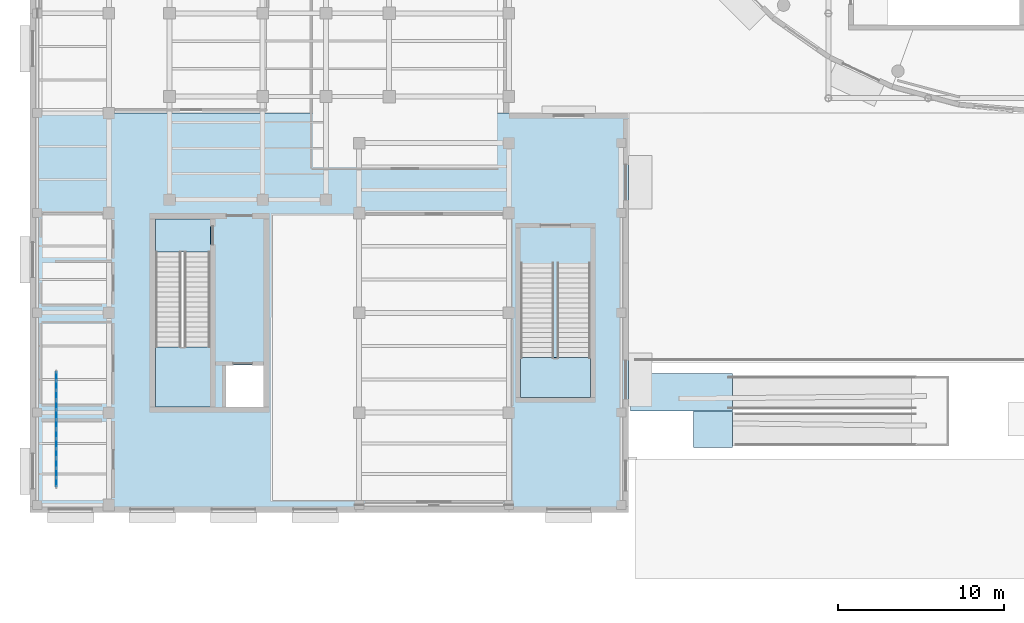
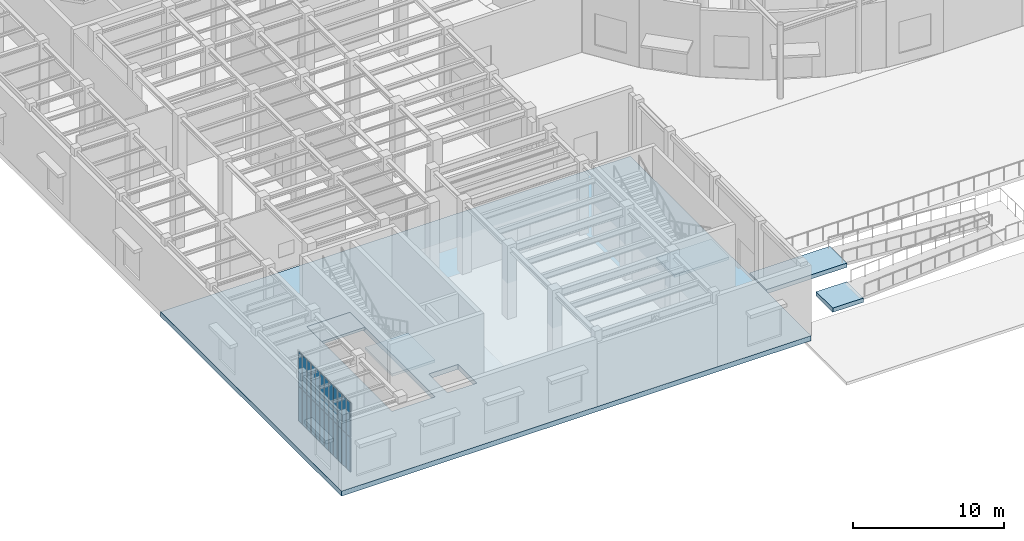
# One storey, part 69 of 118: 24 plates, 6 slabs, 6 elements without a shape of their own.
"""IFC4 building model written with IfcOpenShell, lengths in metres."""

from ifc_helpers import new_model, si_unit, direction, frame, origin, origin_2d, place, context, subcontext, project, spatial, polyline, rectangle, outline, extrude, material, layer, layer_set, type_object, element, aggregate, save


model = new_model("IFC4")

# Units and contexts
model_context = context("Model", 3, precision=1e-05, world=origin(), true_north=direction((0.0, 1.0)))
body_context = subcontext(model_context, "Body", "Model", "MODEL_VIEW")
ifc_project = project(units=[si_unit("LENGTHUNIT", "METRE"), si_unit("AREAUNIT", "SQUARE_METRE"), si_unit("VOLUMEUNIT", "CUBIC_METRE"), si_unit("PLANEANGLEUNIT", "RADIAN"), si_unit("MASSUNIT", "GRAM", prefix="KILO")], contexts=[model_context])

# Site, building, storey
site_placement = place(None, origin())
site = spatial("IfcSite", under=ifc_project, at=site_placement, CompositionType="ELEMENT")
building_placement = place(site_placement, origin())
building = spatial("IfcBuilding", under=site, at=building_placement, Name="Kolvaren Corner Interchange", CompositionType="ELEMENT")
storey_placement = place(building_placement, origin())
storey = spatial("IfcBuildingStorey", under=building, at=storey_placement, Name="L01", CompositionType="ELEMENT", Elevation=0.0)

# Curtain wall, plates
ifc_material_1 = material(Name="Unitised Aluminium and Solar-Control Glass Curtain Wall", Category="aluminium")
curtain_wall_type = type_object("IfcCurtainWallType", Name="CW-V5-LOGGIA", PredefinedType="NOTDEFINED", material=ifc_material_1)
curtain_wall_1_placement = place(storey_placement, origin())
curtain_wall_1 = element("IfcCurtainWall", 1, at=curtain_wall_1_placement, inside=storey, type_object=curtain_wall_type, Name="Corner Loggia L01 Curtain Wall Bay 01", PredefinedType="NOTDEFINED")
ifc_material_2 = material(Name="Insulated Terracotta Spandrel Panel", Category="masonry")
ifc_layer_1 = layer(ifc_material_2, 0.052001953125)
ifc_layer_set_1 = layer_set([ifc_layer_1], Name="Insulated Terracotta Spandrel Panel")
plate_type = type_object("IfcPlateType", Name="PLT-CW-SP48", PredefinedType="SHEET", material=ifc_layer_set_1)
plate_1_placement = place(storey_placement, frame((1.60009765625, 1.806640625, 0.05517578125), z_axis=(0.0, 0.0, 1.0), x_axis=(0.0, 1.0, 0.0)))
plate_1 = element("IfcPlate", 2, at=plate_1_placement, type_object=plate_type, Name="CW-150 panel 1.1", PredefinedType="CURTAIN_PANEL", context=body_context, shape_type="SweptSolid", body=[
    extrude(rectangle(XDim=0.493408203125, YDim=0.052001953125, at=origin_2d()), origin(), (0.0, 0.0, 1.0), 2.777587890625),
])
plate_2_placement = place(storey_placement, frame((1.60009765625, 1.806640625, 2.8876953125), z_axis=(0.0, 0.0, 1.0), x_axis=(0.0, 1.0, 0.0)))
plate_2 = element("IfcPlate", 3, at=plate_2_placement, type_object=plate_type, Name="CW-150 panel 1.2", PredefinedType="CURTAIN_PANEL", context=body_context, shape_type="SweptSolid", body=[
    extrude(rectangle(XDim=0.493408203125, YDim=0.052001953125, at=origin_2d()), origin(), (0.0, 0.0, 1.0), 2.777587890625),
])
plate_3_placement = place(storey_placement, frame((1.60009765625, 2.375, 0.05517578125), z_axis=(0.0, 0.0, 1.0), x_axis=(0.0, 1.0, 0.0)))
plate_3 = element("IfcPlate", 4, at=plate_3_placement, type_object=plate_type, Name="CW-150 panel 2.1", PredefinedType="CURTAIN_PANEL", context=body_context, shape_type="SweptSolid", body=[
    extrude(rectangle(XDim=0.5234375, YDim=0.052001953125, at=origin_2d()), origin(), (0.0, 0.0, 1.0), 2.777587890625),
])
plate_4_placement = place(storey_placement, frame((1.60009765625, 2.375, 2.8876953125), z_axis=(0.0, 0.0, 1.0), x_axis=(0.0, 1.0, 0.0)))
plate_4 = element("IfcPlate", 5, at=plate_4_placement, type_object=plate_type, Name="CW-150 panel 2.2", PredefinedType="CURTAIN_PANEL", context=body_context, shape_type="SweptSolid", body=[
    extrude(rectangle(XDim=0.5234375, YDim=0.052001953125, at=origin_2d()), origin(), (0.0, 0.0, 1.0), 2.777587890625),
])
plate_5_placement = place(storey_placement, frame((1.60009765625, 2.943359375, 0.05517578125), z_axis=(0.0, 0.0, 1.0), x_axis=(0.0, 1.0, 0.0)))
plate_5 = element("IfcPlate", 6, at=plate_5_placement, type_object=plate_type, Name="CW-150 panel 3.1", PredefinedType="CURTAIN_PANEL", context=body_context, shape_type="SweptSolid", body=[
    extrude(rectangle(XDim=0.493408203125, YDim=0.052001953125, at=origin_2d()), origin(), (0.0, 0.0, 1.0), 2.777587890625),
])
plate_6_placement = place(storey_placement, frame((1.60009765625, 2.943359375, 2.8876953125), z_axis=(0.0, 0.0, 1.0), x_axis=(0.0, 1.0, 0.0)))
plate_6 = element("IfcPlate", 7, at=plate_6_placement, type_object=plate_type, Name="CW-150 panel 3.2", PredefinedType="CURTAIN_PANEL", context=body_context, shape_type="SweptSolid", body=[
    extrude(rectangle(XDim=0.493408203125, YDim=0.052001953125, at=origin_2d()), origin(), (0.0, 0.0, 1.0), 2.777587890625),
])
aggregate(curtain_wall_1, [plate_1, plate_2, plate_3, plate_4, plate_5, plate_6])

curtain_wall_2_placement = place(storey_placement, origin())
curtain_wall_2 = element("IfcCurtainWall", 8, at=curtain_wall_2_placement, inside=storey, type_object=curtain_wall_type, Name="Corner Loggia L01 Curtain Wall Bay 02", PredefinedType="NOTDEFINED")
plate_7_placement = place(storey_placement, frame((1.60009765625, 3.556640625, 0.05517578125), z_axis=(0.0, 0.0, 1.0), x_axis=(0.0, 1.0, 0.0)))
plate_7 = element("IfcPlate", 9, at=plate_7_placement, type_object=plate_type, Name="CW-151 panel 1.1", PredefinedType="CURTAIN_PANEL", context=body_context, shape_type="SweptSolid", body=[
    extrude(rectangle(XDim=0.493408203125, YDim=0.052001953125, at=origin_2d()), origin(), (0.0, 0.0, 1.0), 2.777587890625),
])
plate_8_placement = place(storey_placement, frame((1.60009765625, 3.556640625, 2.8876953125), z_axis=(0.0, 0.0, 1.0), x_axis=(0.0, 1.0, 0.0)))
plate_8 = element("IfcPlate", 10, at=plate_8_placement, type_object=plate_type, Name="CW-151 panel 1.2", PredefinedType="CURTAIN_PANEL", context=body_context, shape_type="SweptSolid", body=[
    extrude(rectangle(XDim=0.493408203125, YDim=0.052001953125, at=origin_2d()), origin(), (0.0, 0.0, 1.0), 2.777587890625),
])
plate_9_placement = place(storey_placement, frame((1.60009765625, 4.125, 0.05517578125), z_axis=(0.0, 0.0, 1.0), x_axis=(0.0, 1.0, 0.0)))
plate_9 = element("IfcPlate", 11, at=plate_9_placement, type_object=plate_type, Name="CW-151 panel 2.1", PredefinedType="CURTAIN_PANEL", context=body_context, shape_type="SweptSolid", body=[
    extrude(rectangle(XDim=0.5234375, YDim=0.052001953125, at=origin_2d()), origin(), (0.0, 0.0, 1.0), 2.777587890625),
])
plate_10_placement = place(storey_placement, frame((1.60009765625, 4.125, 2.8876953125), z_axis=(0.0, 0.0, 1.0), x_axis=(0.0, 1.0, 0.0)))
plate_10 = element("IfcPlate", 12, at=plate_10_placement, type_object=plate_type, Name="CW-151 panel 2.2", PredefinedType="CURTAIN_PANEL", context=body_context, shape_type="SweptSolid", body=[
    extrude(rectangle(XDim=0.5234375, YDim=0.052001953125, at=origin_2d()), origin(), (0.0, 0.0, 1.0), 2.777587890625),
])
plate_11_placement = place(storey_placement, frame((1.60009765625, 4.693359375, 0.05517578125), z_axis=(0.0, 0.0, 1.0), x_axis=(0.0, 1.0, 0.0)))
plate_11 = element("IfcPlate", 13, at=plate_11_placement, type_object=plate_type, Name="CW-151 panel 3.1", PredefinedType="CURTAIN_PANEL", context=body_context, shape_type="SweptSolid", body=[
    extrude(rectangle(XDim=0.493408203125, YDim=0.052001953125, at=origin_2d()), origin(), (0.0, 0.0, 1.0), 2.777587890625),
])
plate_12_placement = place(storey_placement, frame((1.60009765625, 4.693359375, 2.8876953125), z_axis=(0.0, 0.0, 1.0), x_axis=(0.0, 1.0, 0.0)))
plate_12 = element("IfcPlate", 14, at=plate_12_placement, type_object=plate_type, Name="CW-151 panel 3.2", PredefinedType="CURTAIN_PANEL", context=body_context, shape_type="SweptSolid", body=[
    extrude(rectangle(XDim=0.493408203125, YDim=0.052001953125, at=origin_2d()), origin(), (0.0, 0.0, 1.0), 2.777587890625),
])
aggregate(curtain_wall_2, [plate_7, plate_8, plate_9, plate_10, plate_11, plate_12])

curtain_wall_3_placement = place(storey_placement, origin())
curtain_wall_3 = element("IfcCurtainWall", 15, at=curtain_wall_3_placement, inside=storey, type_object=curtain_wall_type, Name="Corner Loggia L01 Curtain Wall Bay 03", PredefinedType="NOTDEFINED")
plate_13_placement = place(storey_placement, frame((1.60009765625, 5.306640625, 0.05517578125), z_axis=(0.0, 0.0, 1.0), x_axis=(0.0, 1.0, 0.0)))
plate_13 = element("IfcPlate", 16, at=plate_13_placement, type_object=plate_type, Name="CW-152 panel 1.1", PredefinedType="CURTAIN_PANEL", context=body_context, shape_type="SweptSolid", body=[
    extrude(rectangle(XDim=0.493408203125, YDim=0.052001953125, at=origin_2d()), origin(), (0.0, 0.0, 1.0), 2.777587890625),
])
plate_14_placement = place(storey_placement, frame((1.60009765625, 5.306640625, 2.8876953125), z_axis=(0.0, 0.0, 1.0), x_axis=(0.0, 1.0, 0.0)))
plate_14 = element("IfcPlate", 17, at=plate_14_placement, type_object=plate_type, Name="CW-152 panel 1.2", PredefinedType="CURTAIN_PANEL", context=body_context, shape_type="SweptSolid", body=[
    extrude(rectangle(XDim=0.493408203125, YDim=0.052001953125, at=origin_2d()), origin(), (0.0, 0.0, 1.0), 2.777587890625),
])
plate_15_placement = place(storey_placement, frame((1.60009765625, 5.875, 0.05517578125), z_axis=(0.0, 0.0, 1.0), x_axis=(0.0, 1.0, 0.0)))
plate_15 = element("IfcPlate", 18, at=plate_15_placement, type_object=plate_type, Name="CW-152 panel 2.1", PredefinedType="CURTAIN_PANEL", context=body_context, shape_type="SweptSolid", body=[
    extrude(rectangle(XDim=0.5234375, YDim=0.052001953125, at=origin_2d()), origin(), (0.0, 0.0, 1.0), 2.777587890625),
])
plate_16_placement = place(storey_placement, frame((1.60009765625, 5.875, 2.8876953125), z_axis=(0.0, 0.0, 1.0), x_axis=(0.0, 1.0, 0.0)))
plate_16 = element("IfcPlate", 19, at=plate_16_placement, type_object=plate_type, Name="CW-152 panel 2.2", PredefinedType="CURTAIN_PANEL", context=body_context, shape_type="SweptSolid", body=[
    extrude(rectangle(XDim=0.5234375, YDim=0.052001953125, at=origin_2d()), origin(), (0.0, 0.0, 1.0), 2.777587890625),
])
plate_17_placement = place(storey_placement, frame((1.60009765625, 6.443359375, 0.05517578125), z_axis=(0.0, 0.0, 1.0), x_axis=(0.0, 1.0, 0.0)))
plate_17 = element("IfcPlate", 20, at=plate_17_placement, type_object=plate_type, Name="CW-152 panel 3.1", PredefinedType="CURTAIN_PANEL", context=body_context, shape_type="SweptSolid", body=[
    extrude(rectangle(XDim=0.493408203125, YDim=0.052001953125, at=origin_2d()), origin(), (0.0, 0.0, 1.0), 2.777587890625),
])
plate_18_placement = place(storey_placement, frame((1.60009765625, 6.443359375, 2.8876953125), z_axis=(0.0, 0.0, 1.0), x_axis=(0.0, 1.0, 0.0)))
plate_18 = element("IfcPlate", 21, at=plate_18_placement, type_object=plate_type, Name="CW-152 panel 3.2", PredefinedType="CURTAIN_PANEL", context=body_context, shape_type="SweptSolid", body=[
    extrude(rectangle(XDim=0.493408203125, YDim=0.052001953125, at=origin_2d()), origin(), (0.0, 0.0, 1.0), 2.777587890625),
])
aggregate(curtain_wall_3, [plate_13, plate_14, plate_15, plate_16, plate_17, plate_18])

curtain_wall_4_placement = place(storey_placement, origin())
curtain_wall_4 = element("IfcCurtainWall", 22, at=curtain_wall_4_placement, inside=storey, type_object=curtain_wall_type, Name="Corner Loggia L01 Curtain Wall Bay 04", PredefinedType="NOTDEFINED")
plate_19_placement = place(storey_placement, frame((1.60009765625, 7.056640625, 0.05517578125), z_axis=(0.0, 0.0, 1.0), x_axis=(0.0, 1.0, 0.0)))
plate_19 = element("IfcPlate", 23, at=plate_19_placement, type_object=plate_type, Name="CW-153 panel 1.1", PredefinedType="CURTAIN_PANEL", context=body_context, shape_type="SweptSolid", body=[
    extrude(rectangle(XDim=0.493408203125, YDim=0.052001953125, at=origin_2d()), origin(), (0.0, 0.0, 1.0), 2.777587890625),
])
plate_20_placement = place(storey_placement, frame((1.60009765625, 7.056640625, 2.8876953125), z_axis=(0.0, 0.0, 1.0), x_axis=(0.0, 1.0, 0.0)))
plate_20 = element("IfcPlate", 24, at=plate_20_placement, type_object=plate_type, Name="CW-153 panel 1.2", PredefinedType="CURTAIN_PANEL", context=body_context, shape_type="SweptSolid", body=[
    extrude(rectangle(XDim=0.493408203125, YDim=0.052001953125, at=origin_2d()), origin(), (0.0, 0.0, 1.0), 2.777587890625),
])
plate_21_placement = place(storey_placement, frame((1.60009765625, 7.625, 0.05517578125), z_axis=(0.0, 0.0, 1.0), x_axis=(0.0, 1.0, 0.0)))
plate_21 = element("IfcPlate", 25, at=plate_21_placement, type_object=plate_type, Name="CW-153 panel 2.1", PredefinedType="CURTAIN_PANEL", context=body_context, shape_type="SweptSolid", body=[
    extrude(rectangle(XDim=0.5234375, YDim=0.052001953125, at=origin_2d()), origin(), (0.0, 0.0, 1.0), 2.777587890625),
])
plate_22_placement = place(storey_placement, frame((1.60009765625, 7.625, 2.8876953125), z_axis=(0.0, 0.0, 1.0), x_axis=(0.0, 1.0, 0.0)))
plate_22 = element("IfcPlate", 26, at=plate_22_placement, type_object=plate_type, Name="CW-153 panel 2.2", PredefinedType="CURTAIN_PANEL", context=body_context, shape_type="SweptSolid", body=[
    extrude(rectangle(XDim=0.5234375, YDim=0.052001953125, at=origin_2d()), origin(), (0.0, 0.0, 1.0), 2.777587890625),
])
plate_23_placement = place(storey_placement, frame((1.60009765625, 8.193359375, 0.05517578125), z_axis=(0.0, 0.0, 1.0), x_axis=(0.0, 1.0, 0.0)))
plate_23 = element("IfcPlate", 27, at=plate_23_placement, type_object=plate_type, Name="CW-153 panel 3.1", PredefinedType="CURTAIN_PANEL", context=body_context, shape_type="SweptSolid", body=[
    extrude(rectangle(XDim=0.493408203125, YDim=0.052001953125, at=origin_2d()), origin(), (0.0, 0.0, 1.0), 2.777587890625),
])
plate_24_placement = place(storey_placement, frame((1.60009765625, 8.193359375, 2.8876953125), z_axis=(0.0, 0.0, 1.0), x_axis=(0.0, 1.0, 0.0)))
plate_24 = element("IfcPlate", 28, at=plate_24_placement, type_object=plate_type, Name="CW-153 panel 3.2", PredefinedType="CURTAIN_PANEL", context=body_context, shape_type="SweptSolid", body=[
    extrude(rectangle(XDim=0.493408203125, YDim=0.052001953125, at=origin_2d()), origin(), (0.0, 0.0, 1.0), 2.777587890625),
])
aggregate(curtain_wall_4, [plate_19, plate_20, plate_21, plate_22, plate_23, plate_24])

# Slabs
ifc_material_3 = material(Name="Concrete C35/45", Category="concrete")
ifc_layer_2 = layer(ifc_material_3, 0.340087890625)
ifc_layer_set_2 = layer_set([ifc_layer_2], Name="Concrete C35/45")
slab_type_1 = type_object("IfcSlabType", Name="SL-RAMP-LAND", PredefinedType="LANDING", material=ifc_layer_set_2)
slab_1_placement = place(storey_placement, frame((0.0, 0.0, -0.340087890625)))
element("IfcSlab", 29, at=slab_1_placement, inside=storey, type_object=slab_type_1, Name="South Forecourt Accessible Plinth Ramp Top Plinth Spur Slab", PredefinedType="LANDING", context=body_context, shape_type="SweptSolid", body=[
    extrude(outline(polyline([(36.10009765625, 6.10009765625), (42.25, 6.10009765625), (42.25, 8.35009765625), (36.10009765625, 8.35009765625), (36.10009765625, 6.10009765625)])), origin(), (0.0, 0.0, 1.0), 0.340087890625),
])
slab_2_placement = place(storey_placement, frame((0.0, 0.0, -1.840087890625)))
element("IfcSlab", 30, at=slab_2_placement, inside=storey, type_object=slab_type_1, Name="South Forecourt Accessible Plinth Ramp Bottom Approach Slab", PredefinedType="LANDING", context=body_context, shape_type="SweptSolid", body=[
    extrude(outline(polyline([(39.89990234375, 3.89990234375), (42.25, 3.89990234375), (42.25, 6.10009765625), (39.89990234375, 6.10009765625), (39.89990234375, 3.89990234375)])), origin(), (0.0, 0.0, 1.0), 0.340087890625),
])
ifc_material_4 = material(Name="Concrete C35/45", Category="concrete")
ifc_layer_3 = layer(ifc_material_4, 0.199951171875)
ifc_layer_set_3 = layer_set([ifc_layer_3], Name="Concrete C35/45")
slab_type_2 = type_object("IfcSlabType", Name="SL-STAIR-LAND200", PredefinedType="LANDING", material=ifc_layer_set_3)
slab_3_placement = place(storey_placement, frame((0.0, 0.0, -0.199951171875)))
element("IfcSlab", 31, at=slab_3_placement, inside=storey, type_object=slab_type_2, Name="Core C1 Southwest Firefighting Stair L01 Floor Arrival Landing Slab", PredefinedType="LANDING", context=body_context, shape_type="SweptSolid", body=[
    extrude(outline(polyline([(7.550048828125, 17.64990234375), (7.550048828125, 15.64990234375), (10.85009765625, 15.64990234375), (10.85009765625, 17.64990234375), (7.550048828125, 17.64990234375)])), origin(), (0.0, 0.0, 1.0), 0.199951171875),
])

# Stair, slab
ifc_material_5 = material(Name="Concrete C35/45", Category="concrete")
stair_type_1 = type_object("IfcStairType", Name="ST-FF-1550", PredefinedType="HALF_TURN_STAIR", material=ifc_material_5)
stair_1_placement = place(storey_placement, origin())
stair_1 = element("IfcStair", 32, at=stair_1_placement, inside=storey, type_object=stair_type_1, Name="Core C1 Southwest Firefighting Stair L01 to L02 Stair", PredefinedType="HALF_TURN_STAIR")
slab_4_placement = place(storey_placement, frame((0.0, 0.0, 2.800048828125)))
slab_4 = element("IfcSlab", 33, at=slab_4_placement, type_object=slab_type_2, Name="Core C1 Southwest Firefighting Stair L01 Intermediate Half Landing Slab", PredefinedType="LANDING", context=body_context, shape_type="SweptSolid", body=[
    extrude(outline(polyline([(7.550048828125, 9.949951171875), (7.550048828125, 6.35009765625), (10.85009765625, 6.35009765625), (10.85009765625, 9.949951171875), (7.550048828125, 9.949951171875)])), origin(), (0.0, 0.0, 1.0), 0.199951171875),
])
aggregate(stair_1, [slab_4])

ifc_material_6 = material(Name="Concrete C35/45", Category="concrete")
stair_type_2 = type_object("IfcStairType", Name="ST-GL-2000", PredefinedType="HALF_TURN_STAIR", material=ifc_material_6)
stair_2_placement = place(storey_placement, origin())
stair_2 = element("IfcStair", 34, at=stair_2_placement, inside=storey, type_object=stair_type_2, Name="Operations South Bar Protected Exit Stair L01 to L02 Stair", PredefinedType="HALF_TURN_STAIR")
slab_5_placement = place(storey_placement, frame((0.0, 0.0, 2.800048828125)))
slab_5 = element("IfcSlab", 35, at=slab_5_placement, type_object=slab_type_2, Name="Operations South Bar Protected Exit Stair L01 Intermediate Half Landing Slab", PredefinedType="LANDING", context=body_context, shape_type="SweptSolid", body=[
    extrude(outline(polyline([(29.5, 9.300048828125), (29.5, 6.89990234375), (33.699951171875, 6.89990234375), (33.699951171875, 9.300048828125), (29.5, 9.300048828125)])), origin(), (0.0, 0.0, 1.0), 0.199951171875),
])
aggregate(stair_2, [slab_5])

# Slab
ifc_material_7 = material(Name="Concrete C40/50", Category="concrete")
ifc_layer_4 = layer(ifc_material_7, 0.39990234375)
ifc_layer_set_4 = layer_set([ifc_layer_4], Name="Concrete C40/50")
slab_type_3 = type_object("IfcSlabType", Name="SL-TRANSFER-400", PredefinedType="FLOOR", material=ifc_layer_set_4)
slab_6_placement = place(storey_placement, frame((0.0, 0.0, -0.39990234375)))
element("IfcSlab", 36, at=slab_6_placement, inside=storey, type_object=slab_type_3, Name="Level 01 Operations South Wing Transfer Slab", PredefinedType="FLOOR", context=body_context, shape_type="SweptSolid", body=[
    extrude(outline(polyline([(36.0, 24.0), (0.0, 24.0), (0.0, 0.0), (36.0, 0.0), (36.0, 24.0)]), holes=[polyline([(7.550048828125, 17.64990234375), (10.85009765625, 17.64990234375), (10.85009765625, 6.35009765625), (7.550048828125, 6.35009765625), (7.550048828125, 17.64990234375)]), polyline([(11.800048828125, 6.35009765625), (11.800048828125, 8.85009765625), (14.050048828125, 8.85009765625), (14.050048828125, 6.35009765625), (11.800048828125, 6.35009765625)])]), origin(), (0.0, 0.0, 1.0), 0.39990234375),
])

save(model, "model.ifc")
